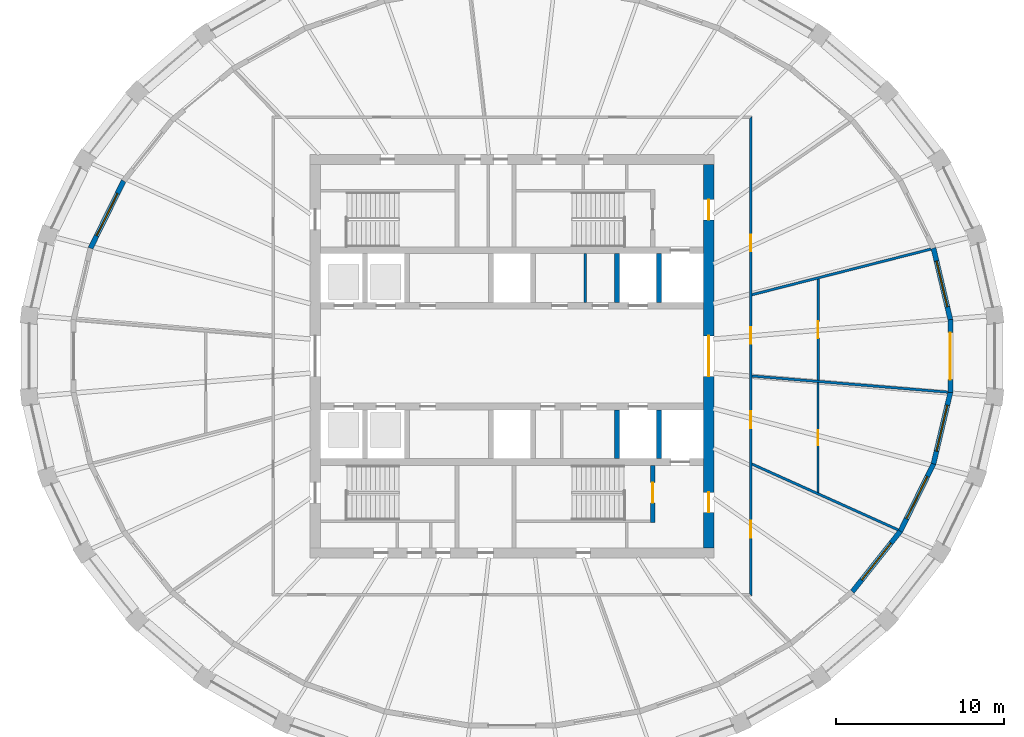
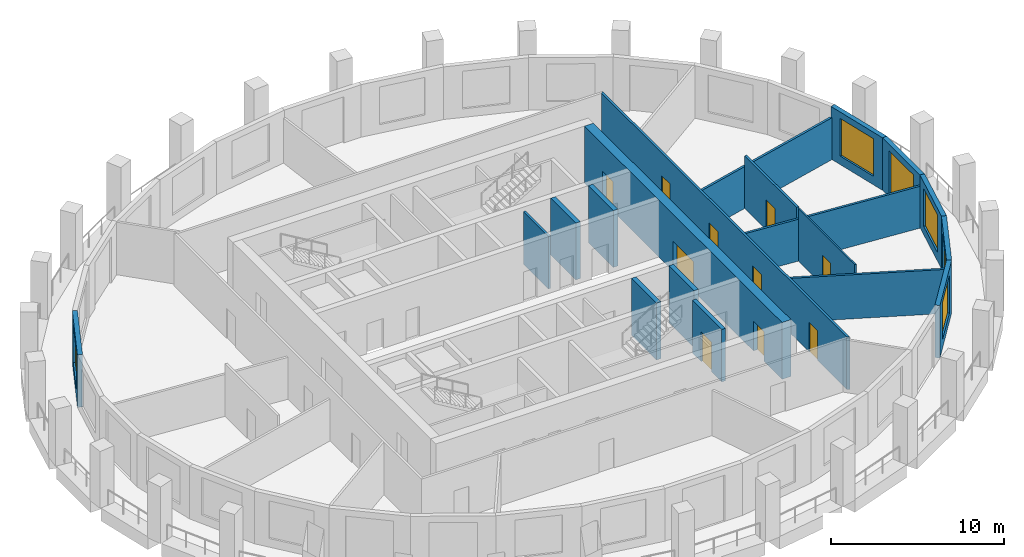
# One storey, part 5 of 10: 19 walls, 11 doors, 5 windows, 16 openings.
"""IFC4 building model written with IfcOpenShell, lengths in metres."""

from ifc_helpers import new_model, si_unit, direction, frame, frame_2d, origin, place, context, subcontext, project, spatial, polyline, rectangle, outline, extrude, material, layer, layer_set, type_object, element, fill, save


model = new_model("IFC4")

# Units and contexts
model_context = context("Model", 3, precision=1e-05, world=origin(), true_north=direction((0.0, 1.0)))
body_context = subcontext(model_context, "Body", "Model", "MODEL_VIEW")
ifc_project = project(units=[si_unit("LENGTHUNIT", "METRE"), si_unit("AREAUNIT", "SQUARE_METRE"), si_unit("VOLUMEUNIT", "CUBIC_METRE"), si_unit("PLANEANGLEUNIT", "RADIAN"), si_unit("MASSUNIT", "GRAM", prefix="KILO")], contexts=[model_context])

# Site, building, storey
site_placement = place(None, origin())
site = spatial("IfcSite", under=ifc_project, at=site_placement, CompositionType="ELEMENT")
building_placement = place(site_placement, origin())
building = spatial("IfcBuilding", under=site, at=building_placement, Name="Halqa Exchange Tower", CompositionType="ELEMENT")
storey_placement = place(building_placement, frame((0.0, 0.0, 308.300048828125)))
storey = spatial("IfcBuildingStorey", under=building, at=storey_placement, Name="L72", CompositionType="ELEMENT", Elevation=308.300048828125)

# Wall, opening, door
ifc_material_1 = material(Name="Gypsum board")
ifc_layer_1 = layer(ifc_material_1, 0.14990234375)
ifc_layer_set_1 = layer_set([ifc_layer_1], Name="Gypsum board")
wall_type_1 = type_object("IfcWallType", Name="Acoustic partition 150", PredefinedType="PARTITIONING", material=ifc_layer_set_1)
wall_1_placement = place(storey_placement, frame((18.199951171875, 4.591552734375, 0.0), z_axis=(0.0, 0.0, 1.0), x_axis=(0.0, -1.0, 0.0)))
wall_1 = element("IfcWall", 1, at=wall_1_placement, inside=storey, type_object=wall_type_1, Name="L72-PWL-019", PredefinedType="PARTITIONING", context=body_context, shape_type="SweptSolid", body=[
    extrude(outline(polyline([(0.0380859375, -0.074951171875), (2.031982421875, -0.074951171875), (4.025634765625, -0.074951171875), (6.01953125, -0.074951171875), (6.031494140625, 0.069580078125), (6.031494140625, 0.074951171875), (4.523681640625, 0.074951171875), (3.015625, 0.074951171875), (1.5078125, 0.074951171875), (0.0, 0.074951171875), (0.0, 0.07421875), (0.0380859375, -0.074951171875)])), origin(), (0.0, 0.0, 1.0), 3.699951171875),
])
opening_1_placement = place(wall_1_placement, frame((2.521484375, 0.0, 0.0)))
opening_1 = element("IfcOpeningElement", 2, at=opening_1_placement, cuts=wall_1, Name="Opening 22-15", PredefinedType="OPENING", context=body_context, shape_type="SweptSolid", body=[
    extrude(rectangle(XDim=1.0, YDim=2.10009765625, at=frame_2d((0.5, 1.050048828125))), frame((0.0, 0.0869140625, 0.0), z_axis=(0.0, -1.0, 0.0), x_axis=(1.0, 0.0, 0.0)), (0.0, 0.0, 1.0), 0.173828125),
])
ifc_material_2 = material(Name="Timber door leaf", Category="wood")
door_type_1 = type_object("IfcDoorType", Name="Acoustic door 1000 x 2100", OperationType="SINGLE_SWING_LEFT", PredefinedType="DOOR", material=ifc_material_2)
door_1_placement = place(opening_1_placement, frame((1.0, 0.0, 0.0), z_axis=(0.0, 0.0, 1.0), x_axis=(-1.0, 0.0, 0.0)))
door_1 = element("IfcDoor", 3, at=door_1_placement, inside=storey, type_object=door_type_1, Name="L72-IDR-015", OperationType="SINGLE_SWING_RIGHT", OverallHeight=2.10009765625, OverallWidth=1.0, PredefinedType="DOOR", context=body_context, shape_type="SweptSolid", body=[
    extrude(rectangle(XDim=1.0, YDim=2.10009765625, at=frame_2d((0.5, 1.050048828125))), frame((0.0, 0.02490234375, 0.0), z_axis=(0.0, -1.0, 0.0), x_axis=(1.0, 0.0, 0.0)), (0.0, 0.0, 1.0), 0.050048828125),
])
fill(opening_1, door_1)

# Wall, openings, doors
ifc_material_3 = material(Name="Fire-rated gypsum board")
ifc_layer_2 = layer(ifc_material_3, 0.14990234375)
ifc_layer_set_2 = layer_set([ifc_layer_2], Name="Fire-rated gypsum board")
wall_type_2 = type_object("IfcWallType", Name="Fire partition EI 60 150", PredefinedType="PARTITIONING", material=ifc_layer_set_2)
wall_2_placement = place(storey_placement, frame((14.199951171875, -14.27490234375, 0.0), z_axis=(0.0, 0.0, 1.0), x_axis=(0.0, 1.0, 0.0)))
wall_2 = element("IfcWall", 4, at=wall_2_placement, inside=storey, type_object=wall_type_2, Name="L72-PWL-013", PredefinedType="PARTITIONING", context=body_context, shape_type="SweptSolid", body=[
    extrude(outline(polyline([(28.5498046875, -0.074951171875), (28.5498046875, -0.074951171875), (28.39990234375, 0.074951171875), (26.5166015625, 0.074951171875), (24.63330078125, 0.074951171875), (22.75, 0.074951171875), (20.866455078125, 0.074951171875), (18.983154296875, 0.074951171875), (17.099853515625, 0.074951171875), (15.216552734375, 0.074951171875), (13.333251953125, 0.074951171875), (11.449951171875, 0.074951171875), (9.566650390625, 0.074951171875), (7.683349609375, 0.074951171875), (5.7998046875, 0.074951171875), (3.91650390625, 0.074951171875), (2.033203125, 0.074951171875), (0.14990234375, 0.074951171875), (0.0, -0.074951171875), (1.9033203125, -0.074951171875), (3.806640625, -0.074951171875), (5.7099609375, -0.074951171875), (7.61328125, -0.074951171875), (9.5166015625, -0.074951171875), (11.419921875, -0.074951171875), (13.3232421875, -0.074951171875), (15.2265625, -0.074951171875), (17.1298828125, -0.074951171875), (19.033203125, -0.074951171875), (20.9365234375, -0.074951171875), (22.83984375, -0.074951171875), (24.7431640625, -0.074951171875), (26.646484375, -0.074951171875), (28.5498046875, -0.074951171875)])), origin(), (0.0, 0.0, 1.0), 3.699951171875),
])
opening_2_placement = place(wall_2_placement, frame((3.47998046875, 0.0, 0.0)))
opening_2 = element("IfcOpeningElement", 5, at=opening_2_placement, cuts=wall_2, Name="Opening 22-07", PredefinedType="OPENING", context=body_context, shape_type="SweptSolid", body=[
    extrude(rectangle(XDim=1.0, YDim=2.10009765625, at=frame_2d((0.5, 1.050048828125))), frame((0.0, 0.0869140625, 0.0), z_axis=(0.0, -1.0, 0.0), x_axis=(1.0, 0.0, 0.0)), (0.0, 0.0, 1.0), 0.173828125),
])
opening_3_placement = place(wall_2_placement, frame((9.989990234375, 0.0, 0.0)))
opening_3 = element("IfcOpeningElement", 6, at=opening_3_placement, cuts=wall_2, Name="Opening 22-08", PredefinedType="OPENING", context=body_context, shape_type="SweptSolid", body=[
    extrude(rectangle(XDim=1.0, YDim=2.10009765625, at=frame_2d((0.5, 1.050048828125))), frame((0.0, 0.0869140625, 0.0), z_axis=(0.0, -1.0, 0.0), x_axis=(1.0, 0.0, 0.0)), (0.0, 0.0, 1.0), 0.173828125),
])
opening_4_placement = place(wall_2_placement, frame((15.0, 0.0, 0.0)))
opening_4 = element("IfcOpeningElement", 7, at=opening_4_placement, cuts=wall_2, Name="Opening 22-09", PredefinedType="OPENING", context=body_context, shape_type="SweptSolid", body=[
    extrude(rectangle(XDim=1.0, YDim=2.10009765625, at=frame_2d((0.5, 1.050048828125))), frame((0.0, 0.0869140625, 0.0), z_axis=(0.0, -1.0, 0.0), x_axis=(1.0, 0.0, 0.0)), (0.0, 0.0, 1.0), 0.173828125),
])
opening_5_placement = place(wall_2_placement, frame((20.4951171875, 0.0, 0.0)))
opening_5 = element("IfcOpeningElement", 8, at=opening_5_placement, cuts=wall_2, Name="Opening 22-10", PredefinedType="OPENING", context=body_context, shape_type="SweptSolid", body=[
    extrude(rectangle(XDim=1.0, YDim=2.10009765625, at=frame_2d((0.5, 1.050048828125))), frame((0.0, 0.0869140625, 0.0), z_axis=(0.0, -1.0, 0.0), x_axis=(1.0, 0.0, 0.0)), (0.0, 0.0, 1.0), 0.173828125),
])
ifc_material_4 = material(Name="Steel fire door leaf", Category="steel")
door_type_2 = type_object("IfcDoorType", Name="Fire door FD30S 1000 x 2100", OperationType="SINGLE_SWING_LEFT", PredefinedType="DOOR", material=ifc_material_4)
door_2_placement = place(opening_2_placement, frame((1.0, 0.0, 0.0), z_axis=(0.0, 0.0, 1.0), x_axis=(-1.0, 0.0, 0.0)))
door_2 = element("IfcDoor", 9, at=door_2_placement, inside=storey, type_object=door_type_2, Name="L72-IDR-007", OperationType="SINGLE_SWING_RIGHT", OverallHeight=2.10009765625, OverallWidth=1.0, PredefinedType="DOOR", context=body_context, shape_type="SweptSolid", body=[
    extrude(rectangle(XDim=1.0, YDim=2.10009765625, at=frame_2d((0.5, 1.050048828125))), frame((0.0, 0.02490234375, 0.0), z_axis=(0.0, -1.0, 0.0), x_axis=(1.0, 0.0, 0.0)), (0.0, 0.0, 1.0), 0.050048828125),
])
fill(opening_2, door_2)
door_3_placement = place(opening_3_placement, frame((1.0, 0.0, 0.0), z_axis=(0.0, 0.0, 1.0), x_axis=(-1.0, 0.0, 0.0)))
door_3 = element("IfcDoor", 10, at=door_3_placement, inside=storey, type_object=door_type_2, Name="L72-IDR-008", OperationType="SINGLE_SWING_RIGHT", OverallHeight=2.10009765625, OverallWidth=1.0, PredefinedType="DOOR", context=body_context, shape_type="SweptSolid", body=[
    extrude(rectangle(XDim=1.0, YDim=2.10009765625, at=frame_2d((0.5, 1.050048828125))), frame((0.0, 0.02490234375, 0.0), z_axis=(0.0, -1.0, 0.0), x_axis=(1.0, 0.0, 0.0)), (0.0, 0.0, 1.0), 0.050048828125),
])
fill(opening_3, door_3)
door_4_placement = place(opening_4_placement, frame((1.0, 0.0, 0.0), z_axis=(0.0, 0.0, 1.0), x_axis=(-1.0, 0.0, 0.0)))
door_4 = element("IfcDoor", 11, at=door_4_placement, inside=storey, type_object=door_type_2, Name="L72-IDR-009", OperationType="SINGLE_SWING_RIGHT", OverallHeight=2.10009765625, OverallWidth=1.0, PredefinedType="DOOR", context=body_context, shape_type="SweptSolid", body=[
    extrude(rectangle(XDim=1.0, YDim=2.10009765625, at=frame_2d((0.5, 1.050048828125))), frame((0.0, 0.02490234375, 0.0), z_axis=(0.0, -1.0, 0.0), x_axis=(1.0, 0.0, 0.0)), (0.0, 0.0, 1.0), 0.050048828125),
])
fill(opening_4, door_4)
door_5_placement = place(opening_5_placement, frame((1.0, 0.0, 0.0), z_axis=(0.0, 0.0, 1.0), x_axis=(-1.0, 0.0, 0.0)))
door_5 = element("IfcDoor", 12, at=door_5_placement, inside=storey, type_object=door_type_2, Name="L72-IDR-010", OperationType="SINGLE_SWING_LEFT", OverallHeight=2.10009765625, OverallWidth=1.0, PredefinedType="DOOR", context=body_context, shape_type="SweptSolid", body=[
    extrude(rectangle(XDim=1.0, YDim=2.10009765625, at=frame_2d((0.5, 1.050048828125))), frame((0.0, 0.02490234375, 0.0), z_axis=(0.0, -1.0, 0.0), x_axis=(1.0, 0.0, 0.0)), (0.0, 0.0, 1.0), 0.050048828125),
])
fill(opening_5, door_5)

# Walls
wall_3_placement = place(storey_placement, frame((14.24462890625, -6.41015625, 0.0), z_axis=(0.0, 0.0, 1.0), x_axis=(0.911854164739, -0.410514289944, 0.0)))
element("IfcWall", 13, at=wall_3_placement, inside=storey, type_object=wall_type_2, Name="L72-PWL-014", PredefinedType="PARTITIONING", context=body_context, shape_type="SweptSolid", body=[
    extrude(outline(polyline([(0.067138671875, -0.074951171875), (1.962646484375, -0.074951171875), (3.858154296875, -0.074951171875), (5.753662109375, -0.074951171875), (7.649169921875, -0.074951171875), (9.544677734375, -0.074951171875), (9.564453125, 0.0029296875), (9.566650390625, 0.06884765625), (9.566650390625, 0.074951171875), (7.795166015625, 0.074951171875), (6.02392578125, 0.074951171875), (4.25244140625, 0.074951171875), (4.249755859375, 0.07373046875), (4.249267578125, 0.074951171875), (2.832763671875, 0.074951171875), (1.41650390625, 0.074951171875), (0.0, 0.074951171875), (0.0, 0.073974609375), (0.067138671875, -0.074951171875)])), origin(), (0.0, 0.0, 1.0), 3.099853515625),
])
wall_4_placement = place(storey_placement, frame((14.269287109375, -1.185791015625, 0.0), z_axis=(0.0, 0.0, 1.0), x_axis=(0.996625584757, -0.082081933503, 0.0)))
element("IfcWall", 14, at=wall_4_placement, inside=storey, type_object=wall_type_2, Name="L72-PWL-015", PredefinedType="PARTITIONING", context=body_context, shape_type="SweptSolid", body=[
    extrude(outline(polyline([(0.011962890625, -0.074951171875), (1.9560546875, -0.074951171875), (3.900146484375, -0.074951171875), (5.84423828125, -0.074951171875), (7.788330078125, -0.074951171875), (9.732421875, -0.074951171875), (11.67626953125, -0.074951171875), (11.68017578125, -0.0498046875), (11.68017578125, 0.074951171875), (9.7333984375, 0.074951171875), (7.786865234375, 0.074951171875), (5.840087890625, 0.074951171875), (3.893310546875, 0.074951171875), (1.94677734375, 0.074951171875), (0.0, 0.074951171875), (0.0, 0.069580078125), (0.011962890625, -0.074951171875)])), origin(), (0.0, 0.0, 1.0), 2.947021484375),
])
wall_5_placement = place(storey_placement, frame((14.256591796875, 3.64453125, 0.0), z_axis=(0.0, 0.0, 1.0), x_axis=(0.968996414646, 0.247074783017, 0.0)))
element("IfcWall", 15, at=wall_5_placement, inside=storey, type_object=wall_type_2, Name="L72-PWL-016", PredefinedType="PARTITIONING", context=body_context, shape_type="SweptSolid", body=[
    extrude(outline(polyline([(0.0, -0.074951171875), (1.986572265625, -0.074951171875), (3.97314453125, -0.074951171875), (3.973388671875, -0.073486328125), (3.97900390625, -0.074951171875), (5.735107421875, -0.074951171875), (7.4912109375, -0.074951171875), (9.24755859375, -0.074951171875), (11.003662109375, -0.074951171875), (11.003662109375, 0.007568359375), (10.989501953125, 0.074951171875), (9.164306640625, 0.074951171875), (7.339111328125, 0.074951171875), (5.513916015625, 0.074951171875), (3.6884765625, 0.074951171875), (1.86328125, 0.074951171875), (0.0380859375, 0.074951171875), (0.0, -0.074462890625), (0.0, -0.074951171875)])), origin(), (0.0, 0.0, 1.0), 2.947021484375),
])

# Wall, opening, door
ifc_layer_3 = layer(ifc_material_1, 0.10009765625)
ifc_layer_set_3 = layer_set([ifc_layer_3], Name="Gypsum board")
wall_type_3 = type_object("IfcWallType", Name="Partition 100 gypsum", PredefinedType="PARTITIONING", material=ifc_layer_set_3)
wall_6_placement = place(storey_placement, frame((18.199951171875, -1.5810546875, 0.0), z_axis=(0.0, 0.0, 1.0), x_axis=(0.0, -1.0, 0.0)))
wall_6 = element("IfcWall", 16, at=wall_6_placement, inside=storey, type_object=wall_type_3, Name="L72-PWL-018", PredefinedType="PARTITIONING", context=body_context, shape_type="SweptSolid", body=[
    extrude(outline(polyline([(0.0, -0.050048828125), (1.626220703125, -0.050048828125), (3.25244140625, -0.050048828125), (4.878662109375, -0.050048828125), (6.505126953125, -0.050048828125), (6.550048828125, 0.050048828125), (6.550048828125, 0.050048828125), (4.91455078125, 0.050048828125), (3.27880859375, 0.050048828125), (1.643310546875, 0.050048828125), (0.0078125, 0.050048828125), (0.0, -0.044189453125), (0.0, -0.050048828125)])), origin(), (0.0, 0.0, 1.0), 3.699951171875),
])
opening_6_placement = place(wall_6_placement, frame((2.819091796875, 0.0, 0.0)))
opening_6 = element("IfcOpeningElement", 17, at=opening_6_placement, cuts=wall_6, Name="Opening 22-14", PredefinedType="OPENING", context=body_context, shape_type="SweptSolid", body=[
    extrude(rectangle(XDim=0.89990234375, YDim=2.10009765625, at=frame_2d((0.449951171875, 1.050048828125))), frame((0.0, 0.06201171875, 0.0), z_axis=(0.0, -1.0, 0.0), x_axis=(1.0, 0.0, 0.0)), (0.0, 0.0, 1.0), 0.1240234375),
])
door_type_3 = type_object("IfcDoorType", Name="Door 900 x 2100", OperationType="SINGLE_SWING_LEFT", PredefinedType="DOOR", material=ifc_material_2)
door_6_placement = place(opening_6_placement, frame((0.89990234375, 0.0, 0.0), z_axis=(0.0, 0.0, 1.0), x_axis=(-1.0, 0.0, 0.0)))
door_6 = element("IfcDoor", 18, at=door_6_placement, inside=storey, type_object=door_type_3, Name="L72-IDR-014", OperationType="SINGLE_SWING_RIGHT", OverallHeight=2.10009765625, OverallWidth=0.89990234375, PredefinedType="DOOR", context=body_context, shape_type="SweptSolid", body=[
    extrude(rectangle(XDim=0.89990234375, YDim=2.10009765625, at=frame_2d((0.449951171875, 1.050048828125))), frame((0.0, 0.02490234375, 0.0), z_axis=(0.0, -1.0, 0.0), x_axis=(1.0, 0.0, 0.0)), (0.0, 0.0, 1.0), 0.050048828125),
])
fill(opening_6, door_6)

# Walls
ifc_layer_4 = layer(ifc_material_1, 0.14990234375)
ifc_layer_set_4 = layer_set([ifc_layer_4], Name="Gypsum board")
wall_type_4 = type_object("IfcWallType", Name="Penthouse riser wall 150 gypsum", PredefinedType="PARTITIONING", material=ifc_layer_set_4)
wall_7_placement = place(storey_placement, frame((4.35009765625, 3.199951171875, 0.0), z_axis=(0.0, 0.0, 1.0), x_axis=(0.0, 1.0, 0.0)))
element("IfcWall", 19, at=wall_7_placement, inside=storey, type_object=wall_type_4, Name="Freed bay partition NE4.350", PredefinedType="PARTITIONING", context=body_context, shape_type="SweptSolid", body=[
    extrude(rectangle(XDim=2.900146484375, YDim=0.14990234375, at=frame_2d((1.4501953125, 0.0))), origin(), (0.0, 0.0, 1.0), 3.699951171875),
])
ifc_material_5 = material(Name="Concrete C60/75", Category="concrete")
ifc_layer_5 = layer(ifc_material_5, 0.300048828125)
ifc_layer_set_5 = layer_set([ifc_layer_5], Name="Concrete C60/75")
wall_type_5 = type_object("IfcWallType", Name="RC core wall 300", PredefinedType="SHEAR", material=ifc_layer_set_5)
for number, where, z_axis, x_axis, name in (
    (20, (6.25, 3.199951171875, 0.0), (0.0, 0.0, 1.0), (0.0, 1.0, 0.0), "Shaft divider N7"),
    (21, (8.75, 3.199951171875, 0.0), (0.0, 0.0, 1.0), (0.0, 1.0, 0.0), "Shaft divider N8"),
    (22, (6.25, -6.10009765625, 0.0), (0.0, 0.0, 1.0), (0.0, 1.0, 0.0), "Shaft divider S7"),
    (23, (8.75, -6.10009765625, 0.0), (0.0, 0.0, 1.0), (0.0, 1.0, 0.0), "Shaft divider S8"),
):
    element("IfcWall", number, at=place(storey_placement, frame(where, z_axis=z_axis, x_axis=x_axis)), inside=storey, type_object=wall_type_5, Name=name, PredefinedType="SHEAR", context=body_context, shape_type="SweptSolid", body=[
        extrude(rectangle(XDim=2.900146484375, YDim=0.300048828125, at=frame_2d((1.4501953125, 0.0))), origin(), (0.0, 0.0, 1.0), 4.0),
    ])

# Wall, openings, doors
ifc_layer_6 = layer(ifc_material_5, 0.60009765625)
ifc_layer_set_6 = layer_set([ifc_layer_6], Name="Concrete C60/75")
wall_type_6 = type_object("IfcWallType", Name="RC core wall 600 C60/75", PredefinedType="SHEAR", material=ifc_layer_set_6)
wall_8_placement = place(storey_placement, frame((11.699951171875, -11.39990234375, 0.0), z_axis=(0.0, 0.0, 1.0), x_axis=(0.0, 1.0, 0.0)))
wall_8 = element("IfcWall", 24, at=wall_8_placement, inside=storey, type_object=wall_type_6, Name="Core wall east", PredefinedType="SHEAR", context=body_context, shape_type="SweptSolid", body=[
    extrude(rectangle(XDim=22.7998046875, YDim=0.60009765625, at=frame_2d((11.39990234375, 0.0))), origin(), (0.0, 0.0, 1.0), 4.0),
])
opening_7_placement = place(wall_8_placement, frame((10.199951171875, 0.0, 0.0)))
opening_7 = element("IfcOpeningElement", 25, at=opening_7_placement, cuts=wall_8, Name="Opening T22-C10", PredefinedType="OPENING", context=body_context, shape_type="SweptSolid", body=[
    extrude(rectangle(XDim=2.39990234375, YDim=2.10009765625, at=frame_2d((1.199951171875, 1.050048828125))), frame((0.0, 0.31201171875, 0.0), z_axis=(0.0, -1.0, 0.0), x_axis=(1.0, 0.0, 0.0)), (0.0, 0.0, 1.0), 0.6240234375),
])
opening_8_placement = place(wall_8_placement, frame((19.5, 0.0, 0.0)))
opening_8 = element("IfcOpeningElement", 26, at=opening_8_placement, cuts=wall_8, Name="Opening T22-C15", PredefinedType="OPENING", context=body_context, shape_type="SweptSolid", body=[
    extrude(rectangle(XDim=1.199951171875, YDim=2.10009765625, at=frame_2d((0.60009765625, 1.050048828125))), frame((0.0, 0.31201171875, 0.0), z_axis=(0.0, -1.0, 0.0), x_axis=(1.0, 0.0, 0.0)), (0.0, 0.0, 1.0), 0.6240234375),
])
opening_9_placement = place(wall_8_placement, frame((2.10009765625, 0.0, 0.0)))
opening_9 = element("IfcOpeningElement", 27, at=opening_9_placement, cuts=wall_8, Name="Opening T22-C16", PredefinedType="OPENING", context=body_context, shape_type="SweptSolid", body=[
    extrude(rectangle(XDim=1.199951171875, YDim=2.10009765625, at=frame_2d((0.60009765625, 1.050048828125))), frame((0.0, 0.31201171875, 0.0), z_axis=(0.0, -1.0, 0.0), x_axis=(1.0, 0.0, 0.0)), (0.0, 0.0, 1.0), 0.6240234375),
])
door_type_4 = type_object("IfcDoorType", Name="Firefighting lobby door FD90 1200 x 2100", OperationType="SINGLE_SWING_RIGHT", PredefinedType="DOOR", material=ifc_material_4)
door_7_placement = place(opening_8_placement, origin())
door_7 = element("IfcDoor", 28, at=door_7_placement, inside=storey, type_object=door_type_4, Name="Firefighting lobby door", OperationType="SINGLE_SWING_RIGHT", OverallHeight=2.10009765625, OverallWidth=1.199951171875, PredefinedType="DOOR", context=body_context, shape_type="SweptSolid", body=[
    extrude(rectangle(XDim=1.199951171875, YDim=2.10009765625, at=frame_2d((0.60009765625, 1.050048828125))), frame((0.0, 0.02490234375, 0.0), z_axis=(0.0, -1.0, 0.0), x_axis=(1.0, 0.0, 0.0)), (0.0, 0.0, 1.0), 0.050048828125),
])
fill(opening_8, door_7)
door_8_placement = place(opening_9_placement, origin())
door_8 = element("IfcDoor", 29, at=door_8_placement, inside=storey, type_object=door_type_4, Name="Firefighting lobby door", OperationType="SINGLE_SWING_LEFT", OverallHeight=2.10009765625, OverallWidth=1.199951171875, PredefinedType="DOOR", context=body_context, shape_type="SweptSolid", body=[
    extrude(rectangle(XDim=1.199951171875, YDim=2.10009765625, at=frame_2d((0.60009765625, 1.050048828125))), frame((0.0, 0.02490234375, 0.0), z_axis=(0.0, -1.0, 0.0), x_axis=(1.0, 0.0, 0.0)), (0.0, 0.0, 1.0), 0.050048828125),
])
fill(opening_9, door_8)
door_type_5 = type_object("IfcDoorType", Name="Lobby double door FD60 2400 x 2100", OperationType="DOUBLE_DOOR_SINGLE_SWING", PredefinedType="DOOR", material=ifc_material_4)
door_9_placement = place(opening_7_placement, origin())
door_9 = element("IfcDoor", 30, at=door_9_placement, inside=storey, type_object=door_type_5, Name="Lift lobby double door", OperationType="DOUBLE_DOOR_SINGLE_SWING", OverallHeight=2.10009765625, OverallWidth=2.39990234375, PredefinedType="DOOR", context=body_context, shape_type="SweptSolid", body=[
    extrude(rectangle(XDim=2.39990234375, YDim=2.10009765625, at=frame_2d((1.199951171875, 1.050048828125))), frame((0.0, 0.02490234375, 0.0), z_axis=(0.0, -1.0, 0.0), x_axis=(1.0, 0.0, 0.0)), (0.0, 0.0, 1.0), 0.050048828125),
])
fill(opening_7, door_9)

# Wall, opening, door
ifc_material_6 = material(Name="Concrete C30/37", Category="concrete")
ifc_layer_7 = layer(ifc_material_6, 0.25)
ifc_layer_set_7 = layer_set([ifc_layer_7], Name="Concrete C30/37")
wall_type_7 = type_object("IfcWallType", Name="RC stair wall 250 C30/37", PredefinedType="SHEAR", material=ifc_layer_set_7)
wall_9_placement = place(storey_placement, frame((8.375, -9.89990234375, 0.0), z_axis=(0.0, 0.0, 1.0), x_axis=(0.0, 1.0, 0.0)))
wall_9 = element("IfcWall", 31, at=wall_9_placement, inside=storey, type_object=wall_type_7, Name="Stair ST2 east wall S", PredefinedType="SHEAR", context=body_context, shape_type="SweptSolid", body=[
    extrude(rectangle(XDim=3.39990234375, YDim=0.25, at=frame_2d((1.699951171875, 0.0))), origin(), (0.0, 0.0, 1.0), 3.699951171875),
])
opening_10_placement = place(wall_9_placement, frame((1.175048828125, 0.0, 0.0)))
opening_10 = element("IfcOpeningElement", 32, at=opening_10_placement, cuts=wall_9, Name="Opening T22-C14", PredefinedType="OPENING", context=body_context, shape_type="SweptSolid", body=[
    extrude(rectangle(XDim=1.199951171875, YDim=2.10009765625, at=frame_2d((0.60009765625, 1.050048828125))), frame((0.0, 0.136962890625, 0.0), z_axis=(0.0, -1.0, 0.0), x_axis=(1.0, 0.0, 0.0)), (0.0, 0.0, 1.0), 0.27392578125),
])
door_type_6 = type_object("IfcDoorType", Name="Stair door FD90 1200 x 2100", OperationType="SINGLE_SWING_LEFT", PredefinedType="DOOR", material=ifc_material_4)
door_10_placement = place(opening_10_placement, origin())
door_10 = element("IfcDoor", 33, at=door_10_placement, inside=storey, type_object=door_type_6, Name="Stair door ST4", OperationType="SINGLE_SWING_LEFT", OverallHeight=2.10009765625, OverallWidth=1.199951171875, PredefinedType="DOOR", context=body_context, shape_type="SweptSolid", body=[
    extrude(rectangle(XDim=1.199951171875, YDim=2.10009765625, at=frame_2d((0.60009765625, 1.050048828125))), frame((0.0, 0.02490234375, 0.0), z_axis=(0.0, -1.0, 0.0), x_axis=(1.0, 0.0, 0.0)), (0.0, 0.0, 1.0), 0.050048828125),
])
fill(opening_10, door_10)

# Wall, opening, window
ifc_material_7 = material(Name="Limestone cladding", Category="masonry")
ifc_layer_8 = layer(ifc_material_7, 0.0400390625)
ifc_material_8 = material(Name="Ventilated cavity")
ifc_layer_9 = layer(ifc_material_8, 0.030029296875, ventilated=True)
ifc_material_9 = material(Name="Mineral wool insulation")
ifc_layer_10 = layer(ifc_material_9, 0.10009765625)
ifc_layer_11 = layer(ifc_material_6, 0.10009765625)
ifc_material_10 = material(Name="Internal plaster")
ifc_layer_12 = layer(ifc_material_10, 0.030029296875)
ifc_layer_set_8 = layer_set([ifc_layer_8, ifc_layer_9, ifc_layer_10, ifc_layer_11, ifc_layer_12], Name="Stone-faced insulated wall 300")
wall_type_8 = type_object("IfcWallType", Name="Stone-faced insulated wall 300", PredefinedType="STANDARD", material=ifc_layer_set_8)
wall_10_placement = place(storey_placement, frame((26.066650390625, 2.166259765625, 0.0), z_axis=(0.0, 0.0, 1.0), x_axis=(-0.229974411334, 0.973196675977, 0.0)))
wall_10 = element("IfcWall", 34, at=wall_10_placement, inside=storey, type_object=wall_type_8, Name="Glass-line wall 1", PredefinedType="STANDARD", context=body_context, shape_type="SweptSolid", body=[
    extrude(outline(polyline([(-0.017578125, -0.14990234375), (4.382080078125, -0.14990234375), (4.348388671875, 0.14990234375), (0.017578125, 0.14990234375), (-0.017578125, -0.14990234375)])), origin(), (0.0, 0.0, 1.0), 3.699951171875),
])
opening_11_placement = place(wall_10_placement, frame((0.78271484375, 0.0, 0.60009765625)))
opening_11 = element("IfcOpeningElement", 35, at=opening_11_placement, cuts=wall_10, Name="Opening W-F4-01", PredefinedType="OPENING", context=body_context, shape_type="SweptSolid", body=[
    extrude(rectangle(XDim=2.800048828125, YDim=2.64990234375, at=frame_2d((1.39990234375, 1.324951171875))), frame((0.0, 0.162109375, 0.0), z_axis=(0.0, -1.0, 0.0), x_axis=(1.0, 0.0, 0.0)), (0.0, 0.0, 1.0), 0.323974609375),
])
ifc_material_11 = material(Name="Clear low-emissivity glass in aluminium frame", Category="aluminium")
window_type = type_object("IfcWindowType", Name="Fixed clear glazed window 2800 x 2650", PartitioningType="DOUBLE_PANEL_VERTICAL", PredefinedType="WINDOW", material=ifc_material_11)
window_1_placement = place(opening_11_placement, origin())
window_1 = element("IfcWindow", 36, at=window_1_placement, inside=storey, type_object=window_type, Name="Window 4", OverallHeight=2.64990234375, OverallWidth=2.800048828125, PartitioningType="DOUBLE_PANEL_VERTICAL", PredefinedType="WINDOW", context=body_context, shape_type="SweptSolid", body=[
    extrude(rectangle(XDim=2.800048828125, YDim=2.64990234375, at=frame_2d((1.39990234375, 1.324951171875))), frame((0.0, 0.030029296875, 0.0), z_axis=(0.0, -1.0, 0.0), x_axis=(1.0, 0.0, 0.0)), (0.0, 0.0, 1.0), 0.06005859375),
])
fill(opening_11, window_1)

wall_11_placement = place(storey_placement, frame((-23.094482421875, 10.41455078125, 0.0), z_axis=(0.0, 0.0, 1.0), x_axis=(-0.441509050872, -0.897256796017, 0.0)))
wall_11 = element("IfcWall", 37, at=wall_11_placement, inside=storey, type_object=wall_type_8, Name="Glass-line wall 14", PredefinedType="STANDARD", context=body_context, shape_type="SweptSolid", body=[
    extrude(outline(polyline([(-0.01611328125, -0.14990234375), (4.474853515625, -0.14990234375), (4.441162109375, 0.14990234375), (0.01611328125, 0.14990234375), (-0.01611328125, -0.14990234375)])), origin(), (0.0, 0.0, 1.0), 3.699951171875),
])
opening_12_placement = place(wall_11_placement, frame((0.8291015625, 0.0, 0.60009765625)))
opening_12 = element("IfcOpeningElement", 38, at=opening_12_placement, cuts=wall_11, Name="Opening W-F4-14", PredefinedType="OPENING", context=body_context, shape_type="SweptSolid", body=[
    extrude(rectangle(XDim=2.800048828125, YDim=2.64990234375, at=frame_2d((1.39990234375, 1.324951171875))), frame((0.0, 0.162109375, 0.0), z_axis=(0.0, -1.0, 0.0), x_axis=(1.0, 0.0, 0.0)), (0.0, 0.0, 1.0), 0.323974609375),
])
window_2_placement = place(opening_12_placement, origin())
window_2 = element("IfcWindow", 39, at=window_2_placement, inside=storey, type_object=window_type, Name="Window 4", OverallHeight=2.64990234375, OverallWidth=2.800048828125, PartitioningType="DOUBLE_PANEL_VERTICAL", PredefinedType="WINDOW", context=body_context, shape_type="SweptSolid", body=[
    extrude(rectangle(XDim=2.800048828125, YDim=2.64990234375, at=frame_2d((1.39990234375, 1.324951171875))), frame((0.0, 0.030029296875, 0.0), z_axis=(0.0, -1.0, 0.0), x_axis=(1.0, 0.0, 0.0)), (0.0, 0.0, 1.0), 0.06005859375),
])
fill(opening_12, window_2)

wall_12_placement = place(storey_placement, frame((20.239013671875, -14.01220703125, 0.0), z_axis=(0.0, 0.0, 1.0), x_axis=(0.621682706372, 0.78326918272, 0.0)))
wall_12 = element("IfcWall", 40, at=wall_12_placement, inside=storey, type_object=wall_type_8, Name="Glass-line wall 29", PredefinedType="STANDARD", context=body_context, shape_type="SweptSolid", body=[
    extrude(outline(polyline([(-0.01513671875, -0.14990234375), (4.609130859375, -0.14990234375), (4.576904296875, 0.14990234375), (0.01513671875, 0.14990234375), (-0.01513671875, -0.14990234375)])), origin(), (0.0, 0.0, 1.0), 3.699951171875),
])
opening_13_placement = place(wall_12_placement, frame((0.896484375, 0.0, 0.60009765625)))
opening_13 = element("IfcOpeningElement", 41, at=opening_13_placement, cuts=wall_12, Name="Opening W-F4-29", PredefinedType="OPENING", context=body_context, shape_type="SweptSolid", body=[
    extrude(rectangle(XDim=2.800048828125, YDim=2.64990234375, at=frame_2d((1.39990234375, 1.324951171875))), frame((0.0, 0.162109375, 0.0), z_axis=(0.0, -1.0, 0.0), x_axis=(1.0, 0.0, 0.0)), (0.0, 0.0, 1.0), 0.323974609375),
])
window_3_placement = place(opening_13_placement, origin())
window_3 = element("IfcWindow", 42, at=window_3_placement, inside=storey, type_object=window_type, Name="Window 4", OverallHeight=2.64990234375, OverallWidth=2.800048828125, PartitioningType="DOUBLE_PANEL_VERTICAL", PredefinedType="WINDOW", context=body_context, shape_type="SweptSolid", body=[
    extrude(rectangle(XDim=2.800048828125, YDim=2.64990234375, at=frame_2d((1.39990234375, 1.324951171875))), frame((0.0, 0.030029296875, 0.0), z_axis=(0.0, -1.0, 0.0), x_axis=(1.0, 0.0, 0.0)), (0.0, 0.0, 1.0), 0.06005859375),
])
fill(opening_13, window_3)

wall_13_placement = place(storey_placement, frame((23.094482421875, -10.41455078125, 0.0), z_axis=(0.0, 0.0, 1.0), x_axis=(0.441509050872, 0.897256796017, 0.0)))
wall_13 = element("IfcWall", 43, at=wall_13_placement, inside=storey, type_object=wall_type_8, Name="Glass-line wall 30", PredefinedType="STANDARD", context=body_context, shape_type="SweptSolid", body=[
    extrude(outline(polyline([(-0.01611328125, -0.14990234375), (4.474853515625, -0.14990234375), (4.441162109375, 0.14990234375), (0.01611328125, 0.14990234375), (-0.01611328125, -0.14990234375)])), origin(), (0.0, 0.0, 1.0), 3.699951171875),
])
opening_14_placement = place(wall_13_placement, frame((0.8291015625, 0.0, 0.60009765625)))
opening_14 = element("IfcOpeningElement", 44, at=opening_14_placement, cuts=wall_13, Name="Opening W-F4-30", PredefinedType="OPENING", context=body_context, shape_type="SweptSolid", body=[
    extrude(rectangle(XDim=2.800048828125, YDim=2.64990234375, at=frame_2d((1.39990234375, 1.324951171875))), frame((0.0, 0.162109375, 0.0), z_axis=(0.0, -1.0, 0.0), x_axis=(1.0, 0.0, 0.0)), (0.0, 0.0, 1.0), 0.323974609375),
])
window_4_placement = place(opening_14_placement, origin())
window_4 = element("IfcWindow", 45, at=window_4_placement, inside=storey, type_object=window_type, Name="Window 4", OverallHeight=2.64990234375, OverallWidth=2.800048828125, PartitioningType="DOUBLE_PANEL_VERTICAL", PredefinedType="WINDOW", context=body_context, shape_type="SweptSolid", body=[
    extrude(rectangle(XDim=2.800048828125, YDim=2.64990234375, at=frame_2d((1.39990234375, 1.324951171875))), frame((0.0, 0.030029296875, 0.0), z_axis=(0.0, -1.0, 0.0), x_axis=(1.0, 0.0, 0.0)), (0.0, 0.0, 1.0), 0.06005859375),
])
fill(opening_14, window_4)

wall_14_placement = place(storey_placement, frame((25.062744140625, -6.41455078125, 0.0), z_axis=(0.0, 0.0, 1.0), x_axis=(0.229974411334, 0.973196675977, 0.0)))
wall_14 = element("IfcWall", 46, at=wall_14_placement, inside=storey, type_object=wall_type_8, Name="Glass-line wall 31", PredefinedType="STANDARD", context=body_context, shape_type="SweptSolid", body=[
    extrude(outline(polyline([(-0.016845703125, -0.14990234375), (4.3828125, -0.14990234375), (4.34765625, 0.14990234375), (0.016845703125, 0.14990234375), (-0.016845703125, -0.14990234375)])), origin(), (0.0, 0.0, 1.0), 3.699951171875),
])
opening_15_placement = place(wall_14_placement, frame((0.78271484375, 0.0, 0.60009765625)))
opening_15 = element("IfcOpeningElement", 47, at=opening_15_placement, cuts=wall_14, Name="Opening W-F4-31", PredefinedType="OPENING", context=body_context, shape_type="SweptSolid", body=[
    extrude(rectangle(XDim=2.800048828125, YDim=2.64990234375, at=frame_2d((1.39990234375, 1.324951171875))), frame((0.0, 0.162109375, 0.0), z_axis=(0.0, -1.0, 0.0), x_axis=(1.0, 0.0, 0.0)), (0.0, 0.0, 1.0), 0.323974609375),
])
window_5_placement = place(opening_15_placement, origin())
window_5 = element("IfcWindow", 48, at=window_5_placement, inside=storey, type_object=window_type, Name="Window 4", OverallHeight=2.64990234375, OverallWidth=2.800048828125, PartitioningType="DOUBLE_PANEL_VERTICAL", PredefinedType="WINDOW", context=body_context, shape_type="SweptSolid", body=[
    extrude(rectangle(XDim=2.800048828125, YDim=2.64990234375, at=frame_2d((1.39990234375, 1.324951171875))), frame((0.0, 0.030029296875, 0.0), z_axis=(0.0, -1.0, 0.0), x_axis=(1.0, 0.0, 0.0)), (0.0, 0.0, 1.0), 0.06005859375),
])
fill(opening_15, window_5)

# Wall, opening, door
wall_15_placement = place(storey_placement, frame((26.066650390625, -2.166259765625, 0.0), z_axis=(0.0, 0.0, 1.0), x_axis=(0.0, 1.0, 0.0)))
wall_15 = element("IfcWall", 49, at=wall_15_placement, inside=storey, type_object=wall_type_8, Name="Glass-line wall 32", PredefinedType="STANDARD", context=body_context, shape_type="SweptSolid", body=[
    extrude(outline(polyline([(-0.017578125, -0.14990234375), (4.35009765625, -0.14990234375), (4.31494140625, 0.14990234375), (0.017578125, 0.14990234375), (-0.017578125, -0.14990234375)])), origin(), (0.0, 0.0, 1.0), 3.699951171875),
])
opening_16_placement = place(wall_15_placement, frame((0.76611328125, 0.0, 0.0)))
opening_16 = element("IfcOpeningElement", 50, at=opening_16_placement, cuts=wall_15, Name="Opening LG-F4-08", PredefinedType="OPENING", context=body_context, shape_type="SweptSolid", body=[
    extrude(rectangle(XDim=2.800048828125, YDim=3.25, at=frame_2d((1.39990234375, 1.625))), frame((0.0, 0.162109375, 0.0), z_axis=(0.0, -1.0, 0.0), x_axis=(1.0, 0.0, 0.0)), (0.0, 0.0, 1.0), 0.323974609375),
])
door_type_7 = type_object("IfcDoorType", Name="Glazed sliding loggia door 2800 x 3250", OperationType="DOUBLE_DOOR_SLIDING", PredefinedType="DOOR", material=ifc_material_11)
door_11_placement = place(opening_16_placement, origin())
door_11 = element("IfcDoor", 51, at=door_11_placement, inside=storey, type_object=door_type_7, Name="Loggia door 8", OperationType="DOUBLE_DOOR_SLIDING", OverallHeight=3.25, OverallWidth=2.800048828125, PredefinedType="DOOR", context=body_context, shape_type="SweptSolid", body=[
    extrude(rectangle(XDim=2.800048828125, YDim=3.25, at=frame_2d((1.39990234375, 1.625))), frame((0.0, 0.02490234375, 0.0), z_axis=(0.0, -1.0, 0.0), x_axis=(1.0, 0.0, 0.0)), (0.0, 0.0, 1.0), 0.050048828125),
])
fill(opening_16, door_11)

save(model, "model.ifc")
